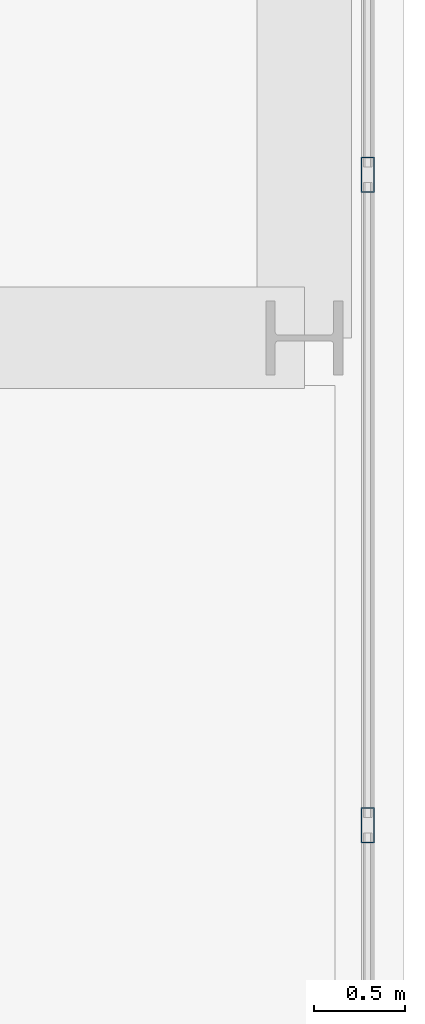
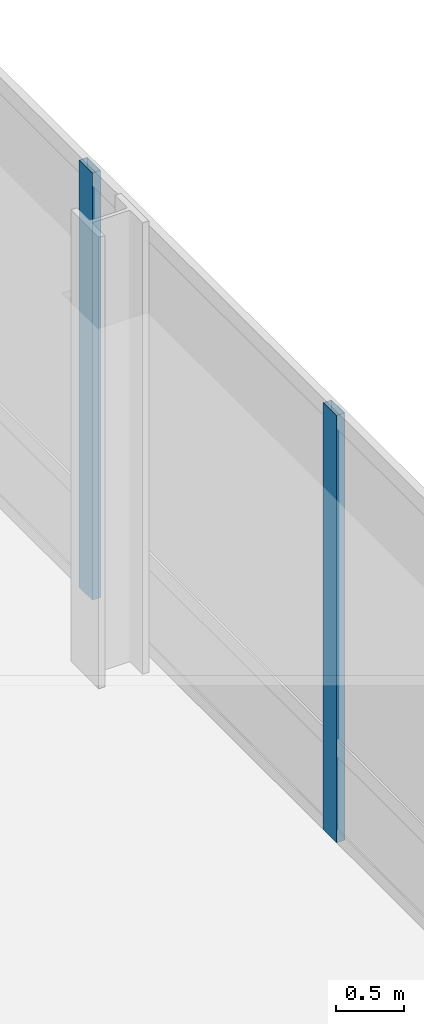
# One storey, part 18 of 36: 2 members, 1 element without a shape of its own.
"""IFC4 building model written with IfcOpenShell, lengths in metres."""

from ifc_helpers import new_model, si_unit, direction, frame, origin, origin_2d, place, context, subcontext, project, spatial, hollow_rectangle, extrude, material, material_profile, profile_set, type_object, element, aggregate, save


model = new_model("IFC4")

# Units and contexts
model_context = context("Model", 3, precision=1e-05, world=origin(), true_north=direction((0.0, 1.0)))
body_context = subcontext(model_context, "Body", "Model", "MODEL_VIEW")
ifc_project = project(units=[si_unit("LENGTHUNIT", "METRE"), si_unit("AREAUNIT", "SQUARE_METRE"), si_unit("VOLUMEUNIT", "CUBIC_METRE"), si_unit("PLANEANGLEUNIT", "RADIAN"), si_unit("MASSUNIT", "GRAM", prefix="KILO")], contexts=[model_context])

# Site, building, storey
site_placement = place(None, origin())
site = spatial("IfcSite", under=ifc_project, at=site_placement, CompositionType="ELEMENT")
building_placement = place(site_placement, origin())
building = spatial("IfcBuilding", under=site, at=building_placement, Name="Punatoya Terracotta Tower", CompositionType="ELEMENT")
storey_placement = place(building_placement, frame((0.0, 0.0, 228.89990234375)))
storey = spatial("IfcBuildingStorey", under=building, at=storey_placement, Name="L54", CompositionType="ELEMENT", Elevation=228.89990234375)

# Curtain wall, members
ifc_material_1 = material(Name="Aluminium 6063-T6 + Double Low-E Glass", Category="aluminium")
curtain_wall_type = type_object("IfcCurtainWallType", Name="CW-M2", PredefinedType="NOTDEFINED", material=ifc_material_1)
curtain_wall_placement = place(storey_placement, origin())
curtain_wall = element("IfcCurtainWall", 1, at=curtain_wall_placement, inside=storey, type_object=curtain_wall_type, Name="L54 Curtain Wall CW-L54-E04-1", PredefinedType="NOTDEFINED")
ifc_material_2 = material(Name="Aluminium 6063-T6", Category="aluminium")
ifc_material_profile = material_profile(ifc_material_2, hollow_rectangle(XDim=0.072021484375, YDim=0.195068359375, WallThickness=0.00439453125, at=origin_2d()))
ifc_profile_set = profile_set([ifc_material_profile], Name="Aluminium 6063-T6")
member_type = type_object("IfcMemberType", Name="CW-MUL-M2", PredefinedType="MULLION", material=ifc_profile_set)
member_1_placement = place(storey_placement, frame((24.85009765625, -6.087646484375, 0.0), z_axis=(0.0, 0.0, 1.0), x_axis=(1.0, 0.0, 0.0)))
member_1 = element("IfcMember", 2, at=member_1_placement, type_object=member_type, Name="CW-L54-E04-1 Mullion 03", PredefinedType="MULLION", context=body_context, shape_type="SweptSolid", body=[
    extrude(hollow_rectangle(XDim=0.072021484375, YDim=0.195068359375, WallThickness=0.00439453125, at=origin_2d()), origin(), (0.0, 0.0, 1.0), 3.830078125),
])
member_2_placement = place(storey_placement, frame((24.85009765625, -2.500244140625, 0.0), z_axis=(0.0, 0.0, 1.0), x_axis=(1.0, 0.0, 0.0)))
member_2 = element("IfcMember", 3, at=member_2_placement, type_object=member_type, Name="CW-L54-E04-1 Mullion 04", PredefinedType="MULLION", context=body_context, shape_type="SweptSolid", body=[
    extrude(hollow_rectangle(XDim=0.072021484375, YDim=0.195068359375, WallThickness=0.00439453125, at=origin_2d()), origin(), (0.0, 0.0, 1.0), 3.830078125),
])
aggregate(curtain_wall, [member_1, member_2])

save(model, "model.ifc")
